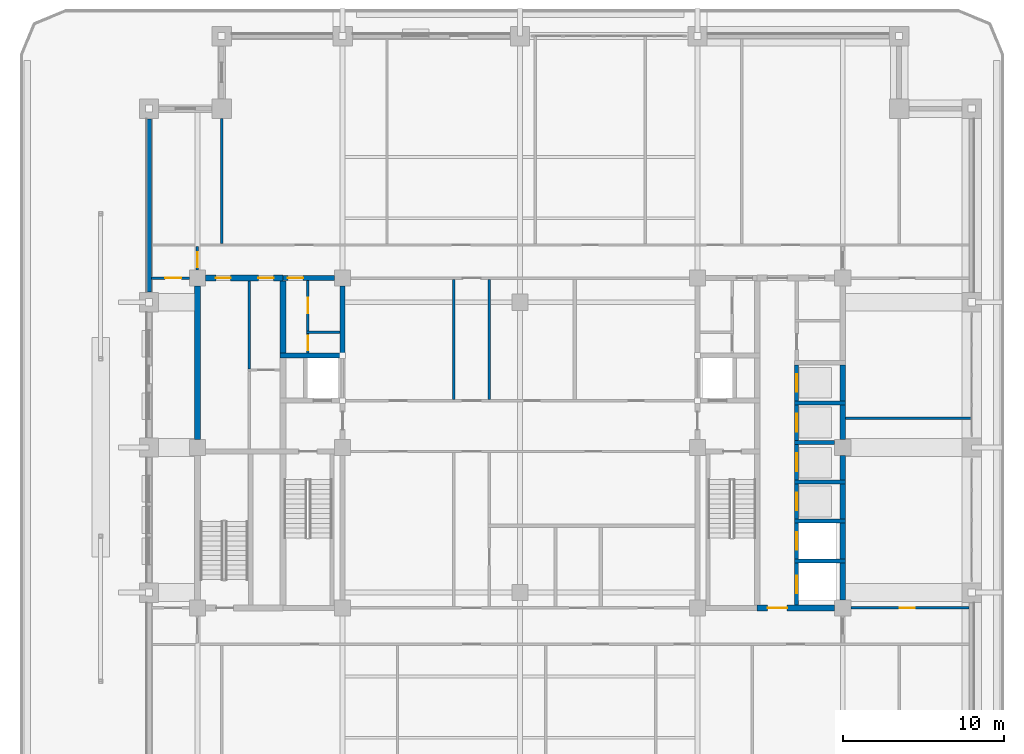
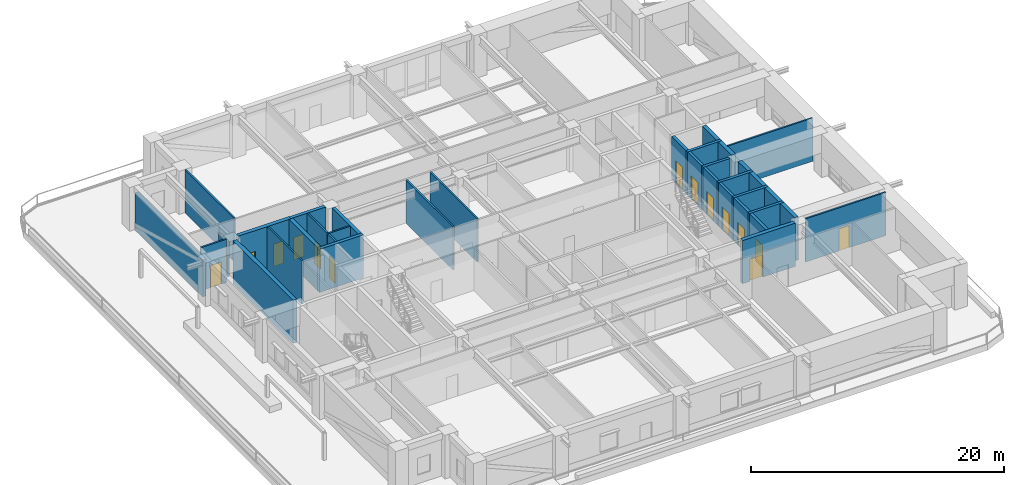
# One storey, part 10 of 21: 36 walls, 15 doors, 15 openings.
"""IFC4 building model written with IfcOpenShell, lengths in metres."""

from ifc_helpers import new_model, si_unit, direction, frame, frame_2d, origin, place, context, subcontext, project, spatial, rectangle, extrude, material, layer, layer_set, type_object, element, fill, save


model = new_model("IFC4")

# Units and contexts
model_context = context("Model", 3, precision=1e-05, world=origin(), true_north=direction((0.0, 1.0)))
body_context = subcontext(model_context, "Body", "Model", "MODEL_VIEW")
ifc_project = project(units=[si_unit("LENGTHUNIT", "METRE"), si_unit("AREAUNIT", "SQUARE_METRE"), si_unit("VOLUMEUNIT", "CUBIC_METRE"), si_unit("PLANEANGLEUNIT", "RADIAN"), si_unit("MASSUNIT", "GRAM", prefix="KILO")], contexts=[model_context])

# Site, building, storey
site_placement = place(None, origin())
site = spatial("IfcSite", under=ifc_project, at=site_placement, CompositionType="ELEMENT")
building_placement = place(site_placement, origin())
building = spatial("IfcBuilding", under=site, at=building_placement, Name="Zulmaris Gate Convention Tower", CompositionType="ELEMENT")
storey_placement = place(building_placement, frame((0.0, 0.0, 86.93994140625)))
storey = spatial("IfcBuildingStorey", under=building, at=storey_placement, Name="L21", CompositionType="ELEMENT", Elevation=86.93994140625)

# Walls
ifc_material_1 = material(Name="Concrete C50/60", Category="concrete")
ifc_layer_1 = layer(ifc_material_1, 0.25, Name="Concrete C50/60")
ifc_layer_set_1 = layer_set([ifc_layer_1], Name="Concrete C50/60")
wall_type_1 = type_object("IfcWallType", Name="CORE-250", PredefinedType="SOLIDWALL", material=ifc_layer_set_1)
for number, where, z_axis, x_axis, name in (
    (1, (17.02490234375, -7.050048828125, 0.0), (0.0, 0.0, 1.0), (1.0, 0.0, 0.0), "WL-L21-005"),
    (2, (17.02490234375, -4.550048828125, 0.0), (0.0, 0.0, 1.0), (1.0, 0.0, 0.0), "WL-L21-006"),
    (3, (17.02490234375, -2.14990234375, 0.0), (0.0, 0.0, 1.0), (1.0, 0.0, 0.0), "WL-L21-007"),
):
    element("IfcWall", number, at=place(storey_placement, frame(where, z_axis=z_axis, x_axis=x_axis)), inside=storey, type_object=wall_type_1, Name=name, PredefinedType="SOLIDWALL", context=body_context, shape_type="SweptSolid", body=[
        extrude(rectangle(XDim=3.150146484375, YDim=0.25, at=frame_2d((1.5751953125, 0.0))), origin(), (0.0, 0.0, 1.0), 4.169921875),
    ])
wall_1_placement = place(storey_placement, frame((17.02490234375, 0.300048828125, 0.0), z_axis=(0.0, 0.0, 1.0), x_axis=(1.0, 0.0, 0.0)))
element("IfcWall", 4, at=wall_1_placement, inside=storey, type_object=wall_type_1, Name="WL-L21-010", PredefinedType="SOLIDWALL", context=body_context, shape_type="SweptSolid", body=[
    extrude(rectangle(XDim=2.47119140625, YDim=0.25, at=frame_2d((1.235595703125, 0.0))), origin(), (0.0, 0.0, 1.0), 4.169921875),
])
wall_2_placement = place(storey_placement, frame((17.02490234375, 2.75, 0.0), z_axis=(0.0, 0.0, 1.0), x_axis=(1.0, 0.0, 0.0)))
element("IfcWall", 5, at=wall_2_placement, inside=storey, type_object=wall_type_1, Name="WL-L21-011", PredefinedType="SOLIDWALL", context=body_context, shape_type="SweptSolid", body=[
    extrude(rectangle(XDim=3.150146484375, YDim=0.25, at=frame_2d((1.5751953125, 0.0))), origin(), (0.0, 0.0, 1.0), 4.169921875),
])

# Wall, opening, door
wall_3_placement = place(storey_placement, frame((17.14990234375, -9.77294921875, 0.0), z_axis=(0.0, 0.0, 1.0), x_axis=(0.0, 1.0, 0.0)))
wall_3 = element("IfcWall", 6, at=wall_3_placement, inside=storey, type_object=wall_type_1, Name="WL-L21-060", PredefinedType="SOLIDWALL", context=body_context, shape_type="SweptSolid", body=[
    extrude(rectangle(XDim=2.595947265625, YDim=0.25, at=frame_2d((1.2978515625, 0.0))), origin(), (0.0, 0.0, 1.0), 4.169921875),
])
opening_1_placement = place(wall_3_placement, frame((0.722900390625, 0.0, 0.0)))
opening_1 = element("IfcOpeningElement", 7, at=opening_1_placement, cuts=wall_3, Name="Opening D-06", PredefinedType="OPENING", context=body_context, shape_type="SweptSolid", body=[
    extrude(rectangle(XDim=1.10009765625, YDim=2.199951171875, at=frame_2d((0.550048828125, 1.10009765625))), frame((0.0, 0.135009765625, 0.0), z_axis=(0.0, -1.0, 0.0), x_axis=(1.0, 0.0, 0.0)), (0.0, 0.0, 1.0), 0.27001953125),
])
ifc_material_2 = material(Name="Brushed Stainless Steel", Category="steel")
door_type_1 = type_object("IfcDoorType", Name="LD-1100", OperationType="NOTDEFINED", PredefinedType="DOOR", material=ifc_material_2)
door_1_placement = place(opening_1_placement, origin())
door_1 = element("IfcDoor", 8, at=door_1_placement, inside=storey, type_object=door_type_1, Name="L21 Lift Landing Door SL-01 17", OperationType="SLIDING_TO_RIGHT", OverallHeight=2.199951171875, OverallWidth=1.10009765625, PredefinedType="DOOR", context=body_context, shape_type="SweptSolid", body=[
    extrude(rectangle(XDim=1.10009765625, YDim=2.199951171875, at=frame_2d((0.550048828125, 1.10009765625))), frame((0.0, 0.02490234375, 0.0), z_axis=(0.0, -1.0, 0.0), x_axis=(1.0, 0.0, 0.0)), (0.0, 0.0, 1.0), 0.050048828125),
])
fill(opening_1, door_1)

wall_4_placement = place(storey_placement, frame((17.14990234375, -6.923095703125, 0.0), z_axis=(0.0, 0.0, 1.0), x_axis=(0.0, 1.0, 0.0)))
wall_4 = element("IfcWall", 9, at=wall_4_placement, inside=storey, type_object=wall_type_1, Name="WL-L21-061", PredefinedType="SOLIDWALL", context=body_context, shape_type="SweptSolid", body=[
    extrude(rectangle(XDim=2.24609375, YDim=0.25, at=frame_2d((1.123046875, 0.0))), origin(), (0.0, 0.0, 1.0), 4.169921875),
])
opening_2_placement = place(wall_4_placement, frame((0.572998046875, 0.0, 0.0)))
opening_2 = element("IfcOpeningElement", 10, at=opening_2_placement, cuts=wall_4, Name="Opening D-06", PredefinedType="OPENING", context=body_context, shape_type="SweptSolid", body=[
    extrude(rectangle(XDim=1.10009765625, YDim=2.199951171875, at=frame_2d((0.550048828125, 1.10009765625))), frame((0.0, 0.135009765625, 0.0), z_axis=(0.0, -1.0, 0.0), x_axis=(1.0, 0.0, 0.0)), (0.0, 0.0, 1.0), 0.27001953125),
])
door_2_placement = place(opening_2_placement, origin())
door_2 = element("IfcDoor", 11, at=door_2_placement, inside=storey, type_object=door_type_1, Name="L21 Lift Landing Door SL-02 18", OperationType="SLIDING_TO_RIGHT", OverallHeight=2.199951171875, OverallWidth=1.10009765625, PredefinedType="DOOR", context=body_context, shape_type="SweptSolid", body=[
    extrude(rectangle(XDim=1.10009765625, YDim=2.199951171875, at=frame_2d((0.550048828125, 1.10009765625))), frame((0.0, 0.02490234375, 0.0), z_axis=(0.0, -1.0, 0.0), x_axis=(1.0, 0.0, 0.0)), (0.0, 0.0, 1.0), 0.050048828125),
])
fill(opening_2, door_2)

wall_5_placement = place(storey_placement, frame((17.14990234375, -4.423095703125, 0.0), z_axis=(0.0, 0.0, 1.0), x_axis=(0.0, 1.0, 0.0)))
wall_5 = element("IfcWall", 12, at=wall_5_placement, inside=storey, type_object=wall_type_1, Name="WL-L21-062", PredefinedType="SOLIDWALL", context=body_context, shape_type="SweptSolid", body=[
    extrude(rectangle(XDim=2.14599609375, YDim=0.25, at=frame_2d((1.072998046875, 0.0))), origin(), (0.0, 0.0, 1.0), 4.169921875),
])
opening_3_placement = place(wall_5_placement, frame((0.52294921875, 0.0, 0.0)))
opening_3 = element("IfcOpeningElement", 13, at=opening_3_placement, cuts=wall_5, Name="Opening D-06", PredefinedType="OPENING", context=body_context, shape_type="SweptSolid", body=[
    extrude(rectangle(XDim=1.10009765625, YDim=2.199951171875, at=frame_2d((0.550048828125, 1.10009765625))), frame((0.0, 0.135009765625, 0.0), z_axis=(0.0, -1.0, 0.0), x_axis=(1.0, 0.0, 0.0)), (0.0, 0.0, 1.0), 0.27001953125),
])
door_3_placement = place(opening_3_placement, origin())
door_3 = element("IfcDoor", 14, at=door_3_placement, inside=storey, type_object=door_type_1, Name="L21 Lift Landing Door MP-01 19", OperationType="SLIDING_TO_RIGHT", OverallHeight=2.199951171875, OverallWidth=1.10009765625, PredefinedType="DOOR", context=body_context, shape_type="SweptSolid", body=[
    extrude(rectangle(XDim=1.10009765625, YDim=2.199951171875, at=frame_2d((0.550048828125, 1.10009765625))), frame((0.0, 0.02490234375, 0.0), z_axis=(0.0, -1.0, 0.0), x_axis=(1.0, 0.0, 0.0)), (0.0, 0.0, 1.0), 0.050048828125),
])
fill(opening_3, door_3)

wall_6_placement = place(storey_placement, frame((17.14990234375, -2.02294921875, 0.0), z_axis=(0.0, 0.0, 1.0), x_axis=(0.0, 1.0, 0.0)))
wall_6 = element("IfcWall", 15, at=wall_6_placement, inside=storey, type_object=wall_type_1, Name="WL-L21-063", PredefinedType="SOLIDWALL", context=body_context, shape_type="SweptSolid", body=[
    extrude(rectangle(XDim=2.196044921875, YDim=0.25, at=frame_2d((1.09814453125, 0.0))), origin(), (0.0, 0.0, 1.0), 4.169921875),
])
opening_4_placement = place(wall_6_placement, frame((0.548095703125, 0.0, 0.0)))
opening_4 = element("IfcOpeningElement", 16, at=opening_4_placement, cuts=wall_6, Name="Opening D-06", PredefinedType="OPENING", context=body_context, shape_type="SweptSolid", body=[
    extrude(rectangle(XDim=1.10009765625, YDim=2.199951171875, at=frame_2d((0.550048828125, 1.10009765625))), frame((0.0, 0.135009765625, 0.0), z_axis=(0.0, -1.0, 0.0), x_axis=(1.0, 0.0, 0.0)), (0.0, 0.0, 1.0), 0.27001953125),
])
door_4_placement = place(opening_4_placement, origin())
door_4 = element("IfcDoor", 17, at=door_4_placement, inside=storey, type_object=door_type_1, Name="L21 Lift Landing Door MP-02 20", OperationType="SLIDING_TO_RIGHT", OverallHeight=2.199951171875, OverallWidth=1.10009765625, PredefinedType="DOOR", context=body_context, shape_type="SweptSolid", body=[
    extrude(rectangle(XDim=1.10009765625, YDim=2.199951171875, at=frame_2d((0.550048828125, 1.10009765625))), frame((0.0, 0.02490234375, 0.0), z_axis=(0.0, -1.0, 0.0), x_axis=(1.0, 0.0, 0.0)), (0.0, 0.0, 1.0), 0.050048828125),
])
fill(opening_4, door_4)

wall_7_placement = place(storey_placement, frame((17.14990234375, 0.427001953125, 0.0), z_axis=(0.0, 0.0, 1.0), x_axis=(0.0, 1.0, 0.0)))
wall_7 = element("IfcWall", 18, at=wall_7_placement, inside=storey, type_object=wall_type_1, Name="WL-L21-064", PredefinedType="SOLIDWALL", context=body_context, shape_type="SweptSolid", body=[
    extrude(rectangle(XDim=2.196044921875, YDim=0.25, at=frame_2d((1.09814453125, 0.0))), origin(), (0.0, 0.0, 1.0), 4.169921875),
])
opening_5_placement = place(wall_7_placement, frame((0.548095703125, 0.0, 0.0)))
opening_5 = element("IfcOpeningElement", 19, at=opening_5_placement, cuts=wall_7, Name="Opening D-06", PredefinedType="OPENING", context=body_context, shape_type="SweptSolid", body=[
    extrude(rectangle(XDim=1.10009765625, YDim=2.199951171875, at=frame_2d((0.550048828125, 1.10009765625))), frame((0.0, 0.135009765625, 0.0), z_axis=(0.0, -1.0, 0.0), x_axis=(1.0, 0.0, 0.0)), (0.0, 0.0, 1.0), 0.27001953125),
])
door_5_placement = place(opening_5_placement, origin())
door_5 = element("IfcDoor", 20, at=door_5_placement, inside=storey, type_object=door_type_1, Name="L21 Lift Landing Door MP-03 21", OperationType="SLIDING_TO_RIGHT", OverallHeight=2.199951171875, OverallWidth=1.10009765625, PredefinedType="DOOR", context=body_context, shape_type="SweptSolid", body=[
    extrude(rectangle(XDim=1.10009765625, YDim=2.199951171875, at=frame_2d((0.550048828125, 1.10009765625))), frame((0.0, 0.02490234375, 0.0), z_axis=(0.0, -1.0, 0.0), x_axis=(1.0, 0.0, 0.0)), (0.0, 0.0, 1.0), 0.050048828125),
])
fill(opening_5, door_5)

wall_8_placement = place(storey_placement, frame((17.14990234375, 2.876953125, 0.0), z_axis=(0.0, 0.0, 1.0), x_axis=(0.0, 1.0, 0.0)))
wall_8 = element("IfcWall", 21, at=wall_8_placement, inside=storey, type_object=wall_type_1, Name="WL-L21-065", PredefinedType="SOLIDWALL", context=body_context, shape_type="SweptSolid", body=[
    extrude(rectangle(XDim=2.24609375, YDim=0.25, at=frame_2d((1.123046875, 0.0))), origin(), (0.0, 0.0, 1.0), 4.169921875),
])
opening_6_placement = place(wall_8_placement, frame((0.572998046875, 0.0, 0.0)))
opening_6 = element("IfcOpeningElement", 22, at=opening_6_placement, cuts=wall_8, Name="Opening D-06", PredefinedType="OPENING", context=body_context, shape_type="SweptSolid", body=[
    extrude(rectangle(XDim=1.10009765625, YDim=2.199951171875, at=frame_2d((0.550048828125, 1.10009765625))), frame((0.0, 0.135009765625, 0.0), z_axis=(0.0, -1.0, 0.0), x_axis=(1.0, 0.0, 0.0)), (0.0, 0.0, 1.0), 0.27001953125),
])
door_6_placement = place(opening_6_placement, origin())
door_6 = element("IfcDoor", 23, at=door_6_placement, inside=storey, type_object=door_type_1, Name="L21 Lift Landing Door MP-04 22", OperationType="SLIDING_TO_RIGHT", OverallHeight=2.199951171875, OverallWidth=1.10009765625, PredefinedType="DOOR", context=body_context, shape_type="SweptSolid", body=[
    extrude(rectangle(XDim=1.10009765625, YDim=2.199951171875, at=frame_2d((0.550048828125, 1.10009765625))), frame((0.0, 0.02490234375, 0.0), z_axis=(0.0, -1.0, 0.0), x_axis=(1.0, 0.0, 0.0)), (0.0, 0.0, 1.0), 0.050048828125),
])
fill(opening_6, door_6)

# Wall
ifc_layer_2 = layer(ifc_material_1, 0.300048828125, Name="Concrete C50/60")
ifc_layer_set_2 = layer_set([ifc_layer_2], Name="Concrete C50/60")
wall_type_2 = type_object("IfcWallType", Name="CORE-300", PredefinedType="SHEAR", material=ifc_layer_set_2)
wall_9_placement = place(storey_placement, frame((-14.875, 5.699951171875, 0.0), z_axis=(0.0, 0.0, 1.0), x_axis=(1.0, 0.0, 0.0)))
element("IfcWall", 24, at=wall_9_placement, inside=storey, type_object=wall_type_2, Name="WL-L21-015", PredefinedType="SHEAR", context=body_context, shape_type="SweptSolid", body=[
    extrude(rectangle(XDim=4.02490234375, YDim=0.300048828125, at=frame_2d((2.012451171875, 0.0))), origin(), (0.0, 0.0, 1.0), 4.169921875),
])

# Wall, opening, door
wall_10_placement = place(storey_placement, frame((-14.699951171875, 10.5, 0.0), z_axis=(0.0, 0.0, 1.0), x_axis=(1.0, 0.0, 0.0)))
wall_10 = element("IfcWall", 25, at=wall_10_placement, inside=storey, type_object=wall_type_2, Name="WL-L21-018", PredefinedType="SHEAR", context=body_context, shape_type="SweptSolid", body=[
    extrude(rectangle(XDim=3.196044921875, YDim=0.300048828125, at=frame_2d((1.59814453125, 0.0))), origin(), (0.0, 0.0, 1.0), 4.169921875),
])
opening_7_placement = place(wall_10_placement, frame((0.304931640625, 0.0, 0.0)))
opening_7 = element("IfcOpeningElement", 26, at=opening_7_placement, cuts=wall_10, Name="Opening D-11", PredefinedType="OPENING", context=body_context, shape_type="SweptSolid", body=[
    extrude(rectangle(XDim=0.949951171875, YDim=2.14990234375, at=frame_2d((0.47509765625, 1.074951171875))), frame((0.0, 0.16015625, 0.0), z_axis=(0.0, -1.0, 0.0), x_axis=(1.0, 0.0, 0.0)), (0.0, 0.0, 1.0), 0.320068359375),
])
ifc_material_3 = material(Name="Fire-Rated Timber", Category="wood")
door_type_2 = type_object("IfcDoorType", Name="DR-950-FD", OperationType="NOTDEFINED", PredefinedType="DOOR", material=ifc_material_3)
door_7_placement = place(opening_7_placement, origin())
door_7 = element("IfcDoor", 27, at=door_7_placement, inside=storey, type_object=door_type_2, Name="L21 Core West Passage Door 07", OperationType="SINGLE_SWING_LEFT", OverallHeight=2.14990234375, OverallWidth=0.949951171875, PredefinedType="DOOR", context=body_context, shape_type="SweptSolid", body=[
    extrude(rectangle(XDim=0.949951171875, YDim=2.14990234375, at=frame_2d((0.47509765625, 1.074951171875))), frame((0.0, 0.02490234375, 0.0), z_axis=(0.0, -1.0, 0.0), x_axis=(1.0, 0.0, 0.0)), (0.0, 0.0, 1.0), 0.050048828125),
])
fill(opening_7, door_7)

# Wall
wall_11_placement = place(storey_placement, frame((-11.0, 5.85205078125, 0.0), z_axis=(0.0, 0.0, 1.0), x_axis=(0.0, 1.0, 0.0)))
element("IfcWall", 28, at=wall_11_placement, inside=storey, type_object=wall_type_2, Name="WL-L21-049", PredefinedType="SHEAR", context=body_context, shape_type="SweptSolid", body=[
    extrude(rectangle(XDim=4.14404296875, YDim=0.300048828125, at=frame_2d((2.072021484375, 0.0))), origin(), (0.0, 0.0, 1.0), 4.169921875),
])

# Wall, opening, door
ifc_material_4 = material(Name="Concrete C55/67", Category="concrete")
ifc_layer_3 = layer(ifc_material_4, 0.35009765625, Name="Concrete C55/67")
ifc_layer_set_3 = layer_set([ifc_layer_3], Name="Concrete C55/67")
wall_type_3 = type_object("IfcWallType", Name="CORE-350", PredefinedType="SHEAR", material=ifc_layer_set_3)
wall_12_placement = place(storey_placement, frame((14.699951171875, -9.949951171875, 0.0), z_axis=(0.0, 0.0, 1.0), x_axis=(1.0, 0.0, 0.0)))
wall_12 = element("IfcWall", 29, at=wall_12_placement, inside=storey, type_object=wall_type_3, Name="WL-L21-004", PredefinedType="SHEAR", context=body_context, shape_type="SweptSolid", body=[
    extrude(rectangle(XDim=4.796142578125, YDim=0.35009765625, at=frame_2d((2.39794921875, 0.0))), origin(), (0.0, 0.0, 1.0), 4.169921875),
])
opening_8_placement = place(wall_12_placement, frame((0.64990234375, 0.0, 0.0)))
opening_8 = element("IfcOpeningElement", 30, at=opening_8_placement, cuts=wall_12, Name="Opening D-13", PredefinedType="OPENING", context=body_context, shape_type="SweptSolid", body=[
    extrude(rectangle(XDim=1.199951171875, YDim=2.14990234375, at=frame_2d((0.60009765625, 1.074951171875))), frame((0.0, 0.18505859375, 0.0), z_axis=(0.0, -1.0, 0.0), x_axis=(1.0, 0.0, 0.0)), (0.0, 0.0, 1.0), 0.3701171875),
])
ifc_material_5 = material(Name="Fire-Rated Steel", Category="steel")
door_type_3 = type_object("IfcDoorType", Name="DR-1200-FD", OperationType="NOTDEFINED", PredefinedType="DOOR", material=ifc_material_5)
door_8_placement = place(opening_8_placement, origin())
door_8 = element("IfcDoor", 31, at=door_8_placement, inside=storey, type_object=door_type_3, Name="L21 East Lift Lobby South Door 23", OperationType="SINGLE_SWING_LEFT", OverallHeight=2.14990234375, OverallWidth=1.199951171875, PredefinedType="DOOR", context=body_context, shape_type="SweptSolid", body=[
    extrude(rectangle(XDim=1.199951171875, YDim=2.14990234375, at=frame_2d((0.60009765625, 1.074951171875))), frame((0.0, 0.02490234375, 0.0), z_axis=(0.0, -1.0, 0.0), x_axis=(1.0, 0.0, 0.0)), (0.0, 0.0, 1.0), 0.050048828125),
])
fill(opening_8, door_8)

# Wall, openings, doors
wall_13_placement = place(storey_placement, frame((-19.49609375, 10.5, 0.0), z_axis=(0.0, 0.0, 1.0), x_axis=(1.0, 0.0, 0.0)))
wall_13 = element("IfcWall", 32, at=wall_13_placement, inside=storey, type_object=wall_type_3, Name="WL-L21-017", PredefinedType="SHEAR", context=body_context, shape_type="SweptSolid", body=[
    extrude(rectangle(XDim=4.796142578125, YDim=0.35009765625, at=frame_2d((2.39794921875, 0.0))), origin(), (0.0, 0.0, 1.0), 4.169921875),
])
opening_9_placement = place(wall_13_placement, frame((0.64599609375, 0.0, 0.0)))
opening_9 = element("IfcOpeningElement", 33, at=opening_9_placement, cuts=wall_13, Name="Opening D-12", PredefinedType="OPENING", context=body_context, shape_type="SweptSolid", body=[
    extrude(rectangle(XDim=0.89990234375, YDim=2.14990234375, at=frame_2d((0.449951171875, 1.074951171875))), frame((0.0, 0.18505859375, 0.0), z_axis=(0.0, -1.0, 0.0), x_axis=(1.0, 0.0, 0.0)), (0.0, 0.0, 1.0), 0.3701171875),
])
opening_10_placement = place(wall_13_placement, frame((3.27099609375, 0.0, 0.0)))
opening_10 = element("IfcOpeningElement", 34, at=opening_10_placement, cuts=wall_13, Name="Opening D-11", PredefinedType="OPENING", context=body_context, shape_type="SweptSolid", body=[
    extrude(rectangle(XDim=0.949951171875, YDim=2.14990234375, at=frame_2d((0.47509765625, 1.074951171875))), frame((0.0, 0.18505859375, 0.0), z_axis=(0.0, -1.0, 0.0), x_axis=(1.0, 0.0, 0.0)), (0.0, 0.0, 1.0), 0.3701171875),
])
door_type_4 = type_object("IfcDoorType", Name="DR-900-FD", OperationType="NOTDEFINED", PredefinedType="DOOR", material=ifc_material_3)
door_9_placement = place(opening_9_placement, origin())
door_9 = element("IfcDoor", 35, at=door_9_placement, inside=storey, type_object=door_type_4, Name="L21 Document Vault Door 14", OperationType="SINGLE_SWING_RIGHT", OverallHeight=2.14990234375, OverallWidth=0.89990234375, PredefinedType="DOOR", context=body_context, shape_type="SweptSolid", body=[
    extrude(rectangle(XDim=0.89990234375, YDim=2.14990234375, at=frame_2d((0.449951171875, 1.074951171875))), frame((0.0, 0.02490234375, 0.0), z_axis=(0.0, -1.0, 0.0), x_axis=(1.0, 0.0, 0.0)), (0.0, 0.0, 1.0), 0.050048828125),
])
fill(opening_9, door_9)
door_10_placement = place(opening_10_placement, origin())
door_10 = element("IfcDoor", 36, at=door_10_placement, inside=storey, type_object=door_type_2, Name="L21 Beverage Pantry Door 15", OperationType="SINGLE_SWING_LEFT", OverallHeight=2.14990234375, OverallWidth=0.949951171875, PredefinedType="DOOR", context=body_context, shape_type="SweptSolid", body=[
    extrude(rectangle(XDim=0.949951171875, YDim=2.14990234375, at=frame_2d((0.47509765625, 1.074951171875))), frame((0.0, 0.02490234375, 0.0), z_axis=(0.0, -1.0, 0.0), x_axis=(1.0, 0.0, 0.0)), (0.0, 0.0, 1.0), 0.050048828125),
])
fill(opening_10, door_10)

# Walls
wall_14_placement = place(storey_placement, frame((-20.0, 0.50390625, 0.0), z_axis=(0.0, 0.0, 1.0), x_axis=(0.0, 1.0, 0.0)))
element("IfcWall", 37, at=wall_14_placement, inside=storey, type_object=wall_type_3, Name="WL-L21-038", PredefinedType="SHEAR", context=body_context, shape_type="SweptSolid", body=[
    extrude(rectangle(XDim=9.4921875, YDim=0.35009765625, at=frame_2d((4.74609375, 0.0))), origin(), (0.0, 0.0, 1.0), 4.169921875),
])
wall_15_placement = place(storey_placement, frame((-14.699951171875, 5.85205078125, 0.0), z_axis=(0.0, 0.0, 1.0), x_axis=(0.0, 1.0, 0.0)))
element("IfcWall", 38, at=wall_15_placement, inside=storey, type_object=wall_type_3, Name="WL-L21-043", PredefinedType="SHEAR", context=body_context, shape_type="SweptSolid", body=[
    extrude(rectangle(XDim=4.470947265625, YDim=0.35009765625, at=frame_2d((2.2353515625, 0.0))), origin(), (0.0, 0.0, 1.0), 4.169921875),
])
wall_16_placement = place(storey_placement, frame((20.0, -9.446044921875, 0.0), z_axis=(0.0, 0.0, 1.0), x_axis=(0.0, 1.0, 0.0)))
element("IfcWall", 39, at=wall_16_placement, inside=storey, type_object=wall_type_3, Name="WL-L21-066", PredefinedType="SHEAR", context=body_context, shape_type="SweptSolid", body=[
    extrude(rectangle(XDim=2.26904296875, YDim=0.35009765625, at=frame_2d((1.134521484375, 0.0))), origin(), (0.0, 0.0, 1.0), 4.169921875),
])
wall_17_placement = place(storey_placement, frame((20.0, -6.923095703125, 0.0), z_axis=(0.0, 0.0, 1.0), x_axis=(0.0, 1.0, 0.0)))
element("IfcWall", 40, at=wall_17_placement, inside=storey, type_object=wall_type_3, Name="WL-L21-067", PredefinedType="SHEAR", context=body_context, shape_type="SweptSolid", body=[
    extrude(rectangle(XDim=2.24609375, YDim=0.35009765625, at=frame_2d((1.123046875, 0.0))), origin(), (0.0, 0.0, 1.0), 4.169921875),
])
wall_18_placement = place(storey_placement, frame((20.0, -4.423095703125, 0.0), z_axis=(0.0, 0.0, 1.0), x_axis=(0.0, 1.0, 0.0)))
element("IfcWall", 41, at=wall_18_placement, inside=storey, type_object=wall_type_3, Name="WL-L21-068", PredefinedType="SHEAR", context=body_context, shape_type="SweptSolid", body=[
    extrude(rectangle(XDim=2.14599609375, YDim=0.35009765625, at=frame_2d((1.072998046875, 0.0))), origin(), (0.0, 0.0, 1.0), 4.169921875),
])
wall_19_placement = place(storey_placement, frame((20.0, -2.02294921875, 0.0), z_axis=(0.0, 0.0, 1.0), x_axis=(0.0, 1.0, 0.0)))
element("IfcWall", 42, at=wall_19_placement, inside=storey, type_object=wall_type_3, Name="WL-L21-069", PredefinedType="SHEAR", context=body_context, shape_type="SweptSolid", body=[
    extrude(rectangle(XDim=1.51904296875, YDim=0.35009765625, at=frame_2d((0.759521484375, 0.0))), origin(), (0.0, 0.0, 1.0), 4.169921875),
])
wall_20_placement = place(storey_placement, frame((20.0, 0.50390625, 0.0), z_axis=(0.0, 0.0, 1.0), x_axis=(0.0, 1.0, 0.0)))
element("IfcWall", 43, at=wall_20_placement, inside=storey, type_object=wall_type_3, Name="WL-L21-070", PredefinedType="SHEAR", context=body_context, shape_type="SweptSolid", body=[
    extrude(rectangle(XDim=2.119140625, YDim=0.35009765625, at=frame_2d((1.0595703125, 0.0))), origin(), (0.0, 0.0, 1.0), 4.169921875),
])
wall_21_placement = place(storey_placement, frame((20.0, 2.876953125, 0.0), z_axis=(0.0, 0.0, 1.0), x_axis=(0.0, 1.0, 0.0)))
element("IfcWall", 44, at=wall_21_placement, inside=storey, type_object=wall_type_3, Name="WL-L21-071", PredefinedType="SHEAR", context=body_context, shape_type="SweptSolid", body=[
    extrude(rectangle(XDim=2.24609375, YDim=0.35009765625, at=frame_2d((1.123046875, 0.0))), origin(), (0.0, 0.0, 1.0), 4.169921875),
])

# Wall, opening, door
ifc_material_6 = material(Name="Gypsum Metal Stud Partition")
ifc_layer_4 = layer(ifc_material_6, 0.14990234375, Name="Gypsum Metal Stud Partition")
ifc_layer_set_4 = layer_set([ifc_layer_4], Name="Gypsum Metal Stud Partition")
wall_type_4 = type_object("IfcWallType", Name="PART-150", PredefinedType="PARTITIONING", material=ifc_layer_set_4)
wall_22_placement = place(storey_placement, frame((20.506103515625, -9.949951171875, 0.0), z_axis=(0.0, 0.0, 1.0), x_axis=(1.0, 0.0, 0.0)))
wall_22 = element("IfcWall", 45, at=wall_22_placement, inside=storey, type_object=wall_type_4, Name="WL-L21-024", PredefinedType="PARTITIONING", context=body_context, shape_type="SweptSolid", body=[
    extrude(rectangle(XDim=7.328857421875, YDim=0.14990234375, at=frame_2d((3.66455078125, 0.0))), origin(), (0.0, 0.0, 1.0), 4.169921875),
])
opening_11_placement = place(wall_22_placement, frame((3.01904296875, 0.0, 0.0)))
opening_11 = element("IfcOpeningElement", 46, at=opening_11_placement, cuts=wall_22, Name="Opening D-11", PredefinedType="OPENING", context=body_context, shape_type="SweptSolid", body=[
    extrude(rectangle(XDim=0.949951171875, YDim=2.14990234375, at=frame_2d((0.47509765625, 1.074951171875))), frame((0.0, 0.0849609375, 0.0), z_axis=(0.0, -1.0, 0.0), x_axis=(1.0, 0.0, 0.0)), (0.0, 0.0, 1.0), 0.169921875),
])
door_11_placement = place(opening_11_placement, origin())
door_11 = element("IfcDoor", 47, at=door_11_placement, inside=storey, type_object=door_type_2, Name="L21 SE Partner Door 56", OperationType="SINGLE_SWING_RIGHT", OverallHeight=2.14990234375, OverallWidth=0.949951171875, PredefinedType="DOOR", context=body_context, shape_type="SweptSolid", body=[
    extrude(rectangle(XDim=0.949951171875, YDim=2.14990234375, at=frame_2d((0.47509765625, 1.074951171875))), frame((0.0, 0.02490234375, 0.0), z_axis=(0.0, -1.0, 0.0), x_axis=(1.0, 0.0, 0.0)), (0.0, 0.0, 1.0), 0.050048828125),
])
fill(opening_11, door_11)

# Walls
wall_23_placement = place(storey_placement, frame((20.177978515625, 1.800048828125, 0.0), z_axis=(0.0, 0.0, 1.0), x_axis=(1.0, 0.0, 0.0)))
element("IfcWall", 48, at=wall_23_placement, inside=storey, type_object=wall_type_4, Name="WL-L21-027", PredefinedType="PARTITIONING", context=body_context, shape_type="SweptSolid", body=[
    extrude(rectangle(XDim=7.761962890625, YDim=0.14990234375, at=frame_2d((3.880859375, 0.0))), origin(), (0.0, 0.0, 1.0), 4.169921875),
])
wall_24_placement = place(storey_placement, frame((-13.22509765625, 7.14990234375, 0.0), z_axis=(0.0, 0.0, 1.0), x_axis=(1.0, 0.0, 0.0)))
element("IfcWall", 49, at=wall_24_placement, inside=storey, type_object=wall_type_4, Name="WL-L21-030", PredefinedType="PARTITIONING", context=body_context, shape_type="SweptSolid", body=[
    extrude(rectangle(XDim=2.072021484375, YDim=0.14990234375, at=frame_2d((1.0361328125, 0.0))), origin(), (0.0, 0.0, 1.0), 4.169921875),
])

# Wall, opening, door
wall_25_placement = place(storey_placement, frame((-22.8349609375, 10.5, 0.0), z_axis=(0.0, 0.0, 1.0), x_axis=(1.0, 0.0, 0.0)))
wall_25 = element("IfcWall", 50, at=wall_25_placement, inside=storey, type_object=wall_type_4, Name="WL-L21-033", PredefinedType="PARTITIONING", context=body_context, shape_type="SweptSolid", body=[
    extrude(rectangle(XDim=2.328857421875, YDim=0.14990234375, at=frame_2d((1.16455078125, 0.0))), origin(), (0.0, 0.0, 1.0), 4.169921875),
])
opening_12_placement = place(wall_25_placement, frame((0.8349609375, 0.0, 0.0)))
opening_12 = element("IfcOpeningElement", 51, at=opening_12_placement, cuts=wall_25, Name="Opening D-10", PredefinedType="OPENING", context=body_context, shape_type="SweptSolid", body=[
    extrude(rectangle(XDim=1.0, YDim=2.14990234375, at=frame_2d((0.5, 1.074951171875))), frame((0.0, 0.0849609375, 0.0), z_axis=(0.0, -1.0, 0.0), x_axis=(1.0, 0.0, 0.0)), (0.0, 0.0, 1.0), 0.169921875),
])
door_type_5 = type_object("IfcDoorType", Name="DR-1000-FD", OperationType="NOTDEFINED", PredefinedType="DOOR", material=ifc_material_3)
door_12_placement = place(opening_12_placement, origin())
door_12 = element("IfcDoor", 52, at=door_12_placement, inside=storey, type_object=door_type_5, Name="L21 West Workplace North Door 51", OperationType="SINGLE_SWING_LEFT", OverallHeight=2.14990234375, OverallWidth=1.0, PredefinedType="DOOR", context=body_context, shape_type="SweptSolid", body=[
    extrude(rectangle(XDim=1.0, YDim=2.14990234375, at=frame_2d((0.5, 1.074951171875))), frame((0.0, 0.02490234375, 0.0), z_axis=(0.0, -1.0, 0.0), x_axis=(1.0, 0.0, 0.0)), (0.0, 0.0, 1.0), 0.050048828125),
])
fill(opening_12, door_12)

wall_26_placement = place(storey_placement, frame((-20.0, 11.006103515625, 0.0), z_axis=(0.0, 0.0, 1.0), x_axis=(0.0, 1.0, 0.0)))
wall_26 = element("IfcWall", 53, at=wall_26_placement, inside=storey, type_object=wall_type_4, Name="WL-L21-074", PredefinedType="PARTITIONING", context=body_context, shape_type="SweptSolid", body=[
    extrude(rectangle(XDim=1.4658203125, YDim=0.14990234375, at=frame_2d((0.73291015625, 0.0))), origin(), (0.0, 0.0, 1.0), 3.35986328125),
])
opening_13_placement = place(wall_26_placement, frame((0.14990234375, 0.0, 0.0)))
opening_13 = element("IfcOpeningElement", 54, at=opening_13_placement, cuts=wall_26, Name="Opening D-11", PredefinedType="OPENING", context=body_context, shape_type="SweptSolid", body=[
    extrude(rectangle(XDim=0.949951171875, YDim=2.14990234375, at=frame_2d((0.47509765625, 1.074951171875))), frame((0.0, 0.0849609375, 0.0), z_axis=(0.0, -1.0, 0.0), x_axis=(1.0, 0.0, 0.0)), (0.0, 0.0, 1.0), 0.169921875),
])
door_13_placement = place(opening_13_placement, origin())
door_13 = element("IfcDoor", 55, at=door_13_placement, inside=storey, type_object=door_type_2, Name="L21 NW Spur Door 49", OperationType="SINGLE_SWING_LEFT", OverallHeight=2.14990234375, OverallWidth=0.949951171875, PredefinedType="DOOR", context=body_context, shape_type="SweptSolid", body=[
    extrude(rectangle(XDim=0.949951171875, YDim=2.14990234375, at=frame_2d((0.47509765625, 1.074951171875))), frame((0.0, 0.02490234375, 0.0), z_axis=(0.0, -1.0, 0.0), x_axis=(1.0, 0.0, 0.0)), (0.0, 0.0, 1.0), 0.050048828125),
])
fill(opening_13, door_13)

# Walls
wall_27_placement = place(storey_placement, frame((-18.5, 12.6279296875, 0.0), z_axis=(0.0, 0.0, 1.0), x_axis=(0.0, 1.0, 0.0)))
element("IfcWall", 56, at=wall_27_placement, inside=storey, type_object=wall_type_4, Name="WL-L21-076", PredefinedType="PARTITIONING", context=body_context, shape_type="SweptSolid", body=[
    extrude(rectangle(XDim=7.76611328125, YDim=0.14990234375, at=frame_2d((3.883056640625, 0.0))), origin(), (0.0, 0.0, 1.0), 4.169921875),
])
wall_28_placement = place(storey_placement, frame((-16.800048828125, 4.8779296875, 0.0), z_axis=(0.0, 0.0, 1.0), x_axis=(0.0, 1.0, 0.0)))
element("IfcWall", 57, at=wall_28_placement, inside=storey, type_object=wall_type_4, Name="WL-L21-078", PredefinedType="PARTITIONING", context=body_context, shape_type="SweptSolid", body=[
    extrude(rectangle(XDim=5.444091796875, YDim=0.14990234375, at=frame_2d((2.72216796875, 0.0))), origin(), (0.0, 0.0, 1.0), 4.169921875),
])

# Wall, opening, door
wall_29_placement = place(storey_placement, frame((-13.14990234375, 5.85302734375, 0.0), z_axis=(0.0, 0.0, 1.0), x_axis=(0.0, 1.0, 0.0)))
wall_29 = element("IfcWall", 58, at=wall_29_placement, inside=storey, type_object=wall_type_4, Name="WL-L21-079", PredefinedType="PARTITIONING", context=body_context, shape_type="SweptSolid", body=[
    extrude(rectangle(XDim=1.218994140625, YDim=0.14990234375, at=frame_2d((0.609375, 0.0))), origin(), (0.0, 0.0, 1.0), 4.169921875),
])
opening_14_placement = place(wall_29_placement, frame((0.1689453125, 0.0, 0.0)))
opening_14 = element("IfcOpeningElement", 59, at=opening_14_placement, cuts=wall_29, Name="Opening D-12", PredefinedType="OPENING", context=body_context, shape_type="SweptSolid", body=[
    extrude(rectangle(XDim=0.89990234375, YDim=2.14990234375, at=frame_2d((0.449951171875, 1.074951171875))), frame((0.0, 0.0849609375, 0.0), z_axis=(0.0, -1.0, 0.0), x_axis=(1.0, 0.0, 0.0)), (0.0, 0.0, 1.0), 0.169921875),
])
door_14_placement = place(opening_14_placement, origin())
door_14 = element("IfcDoor", 60, at=door_14_placement, inside=storey, type_object=door_type_4, Name="L21 Stationery Closet Door 08", OperationType="SINGLE_SWING_RIGHT", OverallHeight=2.14990234375, OverallWidth=0.89990234375, PredefinedType="DOOR", context=body_context, shape_type="SweptSolid", body=[
    extrude(rectangle(XDim=0.89990234375, YDim=2.14990234375, at=frame_2d((0.449951171875, 1.074951171875))), frame((0.0, 0.02490234375, 0.0), z_axis=(0.0, -1.0, 0.0), x_axis=(1.0, 0.0, 0.0)), (0.0, 0.0, 1.0), 0.050048828125),
])
fill(opening_14, door_14)

wall_30_placement = place(storey_placement, frame((-13.14990234375, 7.22802734375, 0.0), z_axis=(0.0, 0.0, 1.0), x_axis=(0.0, 1.0, 0.0)))
wall_30 = element("IfcWall", 61, at=wall_30_placement, inside=storey, type_object=wall_type_4, Name="WL-L21-080", PredefinedType="PARTITIONING", context=body_context, shape_type="SweptSolid", body=[
    extrude(rectangle(XDim=3.118896484375, YDim=0.14990234375, at=frame_2d((1.5595703125, 0.0))), origin(), (0.0, 0.0, 1.0), 4.169921875),
])
opening_15_placement = place(wall_30_placement, frame((1.096923828125, 0.0, 0.0)))
opening_15 = element("IfcOpeningElement", 62, at=opening_15_placement, cuts=wall_30, Name="Opening D-11", PredefinedType="OPENING", context=body_context, shape_type="SweptSolid", body=[
    extrude(rectangle(XDim=0.949951171875, YDim=2.14990234375, at=frame_2d((0.47509765625, 1.074951171875))), frame((0.0, 0.0849609375, 0.0), z_axis=(0.0, -1.0, 0.0), x_axis=(1.0, 0.0, 0.0)), (0.0, 0.0, 1.0), 0.169921875),
])
door_15_placement = place(opening_15_placement, origin())
door_15 = element("IfcDoor", 63, at=door_15_placement, inside=storey, type_object=door_type_2, Name="L21 Meter Closet Door 09", OperationType="SINGLE_SWING_LEFT", OverallHeight=2.14990234375, OverallWidth=0.949951171875, PredefinedType="DOOR", context=body_context, shape_type="SweptSolid", body=[
    extrude(rectangle(XDim=0.949951171875, YDim=2.14990234375, at=frame_2d((0.47509765625, 1.074951171875))), frame((0.0, 0.02490234375, 0.0), z_axis=(0.0, -1.0, 0.0), x_axis=(1.0, 0.0, 0.0)), (0.0, 0.0, 1.0), 0.050048828125),
])
fill(opening_15, door_15)

# Walls
for number, where, z_axis, x_axis, name in (
    (64, (-4.10009765625, 2.97802734375, 0.0), (0.0, 0.0, 1.0), (0.0, 1.0, 0.0), "WL-L21-084"),
    (65, (-1.89990234375, 2.97802734375, 0.0), (0.0, 0.0, 1.0), (0.0, 1.0, 0.0), "WL-L21-087"),
):
    element("IfcWall", number, at=place(storey_placement, frame(where, z_axis=z_axis, x_axis=x_axis)), inside=storey, type_object=wall_type_4, Name=name, PredefinedType="PARTITIONING", context=body_context, shape_type="SweptSolid", body=[
        extrude(rectangle(XDim=7.444091796875, YDim=0.14990234375, at=frame_2d((3.72216796875, 0.0))), origin(), (0.0, 0.0, 1.0), 4.169921875),
    ])
ifc_material_7 = material(Name="Precast concrete C40/50", Category="concrete")
ifc_layer_5 = layer(ifc_material_7, 0.300048828125, Name="Precast concrete C40/50")
ifc_layer_set_5 = layer_set([ifc_layer_5], Name="Precast concrete C40/50")
wall_type_5 = type_object("IfcWallType", Name="PRECAST-PIER-300", PredefinedType="STANDARD", material=ifc_layer_set_5)
wall_31_placement = place(storey_placement, frame((-23.0, 20.3701171875, 0.0), z_axis=(0.0, 0.0, 1.0), x_axis=(0.0, -1.0, 0.0)))
element("IfcWall", 66, at=wall_31_placement, inside=storey, type_object=wall_type_5, Name="EW-L21-W-3_0", PredefinedType="STANDARD", context=body_context, shape_type="SweptSolid", body=[
    extrude(rectangle(XDim=10.740234375, YDim=0.300048828125, at=frame_2d((5.3701171875, 0.0))), origin(), (0.0, 0.0, 1.0), 3.56201171875),
])

save(model, "model.ifc")
